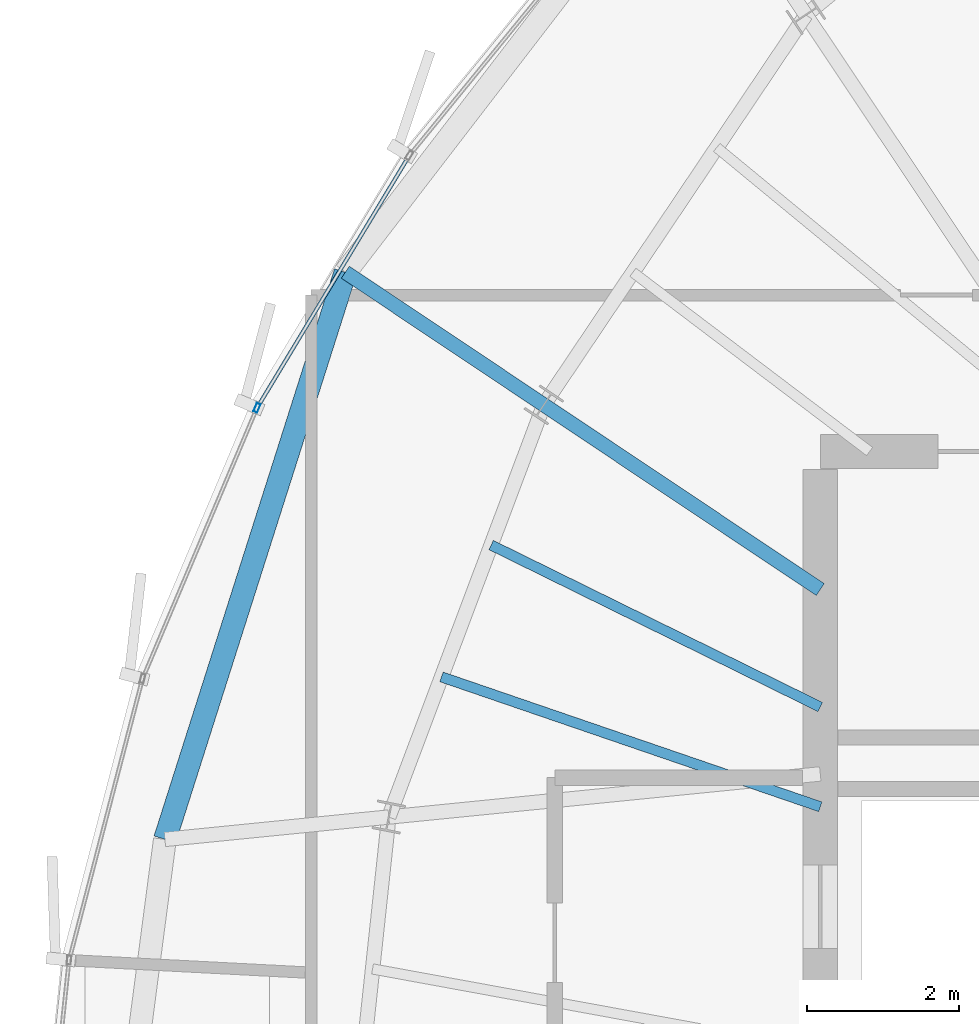
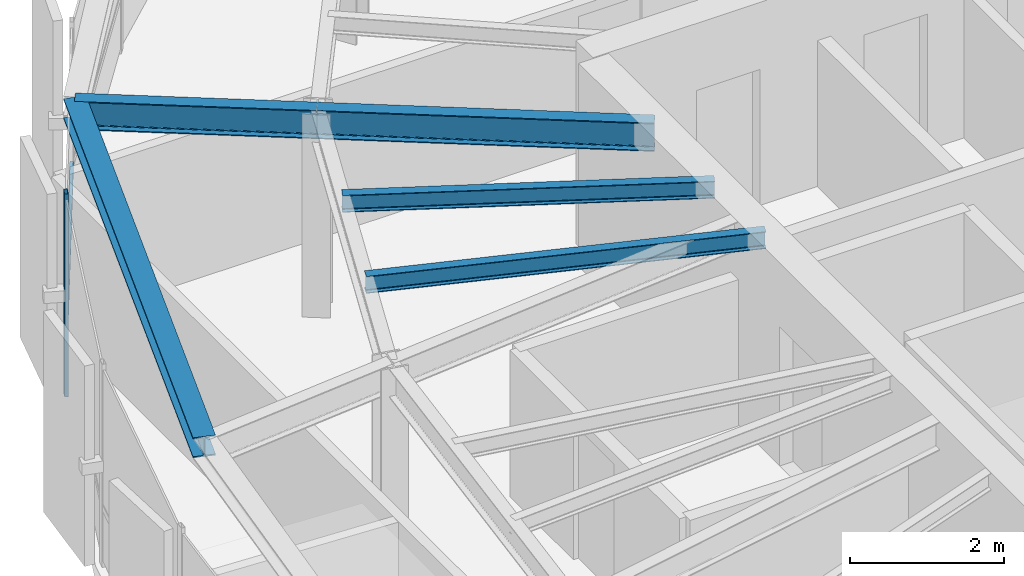
# One storey, part 12 of 31: 5 beams, 2 members, 1 element without a shape of its own.
"""IFC4 building model written with IfcOpenShell, lengths in metres."""

from ifc_helpers import new_model, si_unit, direction, frame, origin, origin_2d, place, context, subcontext, project, spatial, hollow_rectangle, i_section, extrude, source, transform, mapped, material, layer, layer_set, material_profile, profile_set, type_object, element, aggregate, save


model = new_model("IFC4")

# Units and contexts
model_context = context("Model", 3, precision=1e-05, world=origin(), true_north=direction((0.0, 1.0)))
body_context = subcontext(model_context, "Body", "Model", "MODEL_VIEW")
ifc_project = project(units=[si_unit("LENGTHUNIT", "METRE"), si_unit("AREAUNIT", "SQUARE_METRE"), si_unit("VOLUMEUNIT", "CUBIC_METRE"), si_unit("PLANEANGLEUNIT", "RADIAN"), si_unit("MASSUNIT", "GRAM", prefix="KILO"), si_unit("THERMODYNAMICTEMPERATUREUNIT", "KELVIN")], contexts=[model_context])

# Site, building, storey
site_placement = place(None, origin())
site = spatial("IfcSite", under=ifc_project, at=site_placement, CompositionType="ELEMENT")
building_placement = place(site_placement, origin())
building = spatial("IfcBuilding", under=site, at=building_placement, Name="Kethvar Cultural Tower", CompositionType="ELEMENT")
storey_placement = place(building_placement, frame((0.0, 0.0, 287.050048828125)))
storey = spatial("IfcBuildingStorey", under=building, at=storey_placement, Name="L76", CompositionType="ELEMENT", Elevation=287.050048828125)

# Beams
ifc_material_1 = material(Name="Steel S355J2", Category="steel")
ifc_material_profile_1 = material_profile(ifc_material_1, i_section(OverallWidth=0.18994140625, OverallDepth=0.449951171875, WebThickness=0.009521484375, FlangeThickness=0.0146484375, FilletRadius=0.02099609375, at=origin_2d()), Name="Steel S355J2 — IPE450")
ifc_profile_set_1 = profile_set([ifc_material_profile_1], Name="Steel S355J2 — IPE450")
beam_type_1 = type_object("IfcBeamType", Name="BM-IPE450", PredefinedType="BEAM", material=ifc_profile_set_1)
shared_shape_1 = source(origin(), body_context, "Body", "SweptSolid", [
    extrude(i_section(OverallWidth=0.18994140625, OverallDepth=0.449951171875, WebThickness=0.009521484375, FlangeThickness=0.0146484375, FilletRadius=0.02099609375, at=origin_2d()), origin(), (0.0, 0.0, 1.0), 4.3828125),
])
beam_1_placement = place(storey_placement, frame((38.0, 33.679931640625, 2.98291015625), z_axis=(-0.831449909861, 0.555599718676, 0.0), x_axis=(-0.555599718676, -0.831449909861, 0.0)))
element("IfcBeam", 1, at=beam_1_placement, inside=storey, type_object=beam_type_1, Name="L76 Primary Radial Beam RB-07", PredefinedType="BEAM", context=body_context, shape_type="MappedRepresentation", body=[
    mapped(shared_shape_1, transform((0.0, 0.0, 0.0), scale=1.0)),
])
ifc_material_profile_2 = material_profile(ifc_material_1, i_section(OverallWidth=0.135009765625, OverallDepth=0.27001953125, WebThickness=0.006591796875, FlangeThickness=0.01025390625, FilletRadius=0.014892578125, at=origin_2d()), Name="Steel S355J2 — IPE270")
ifc_profile_set_2 = profile_set([ifc_material_profile_2], Name="Steel S355J2 — IPE270")
beam_type_2 = type_object("IfcBeamType", Name="BM-J270", PredefinedType="JOIST", material=ifc_profile_set_2)
shared_shape_2 = source(origin(), body_context, "Body", "SweptSolid", [
    extrude(i_section(OverallWidth=0.135009765625, OverallDepth=0.27001953125, WebThickness=0.006591796875, FlangeThickness=0.01025390625, FilletRadius=0.014892578125, at=origin_2d()), origin(), (0.0, 0.0, 1.0), 4.8359375),
])
beam_2_placement = place(storey_placement, frame((38.0, 32.1318359375, 3.072998046875), z_axis=(-0.897196527088, 0.441631511308, 0.0), x_axis=(-0.441631511308, -0.897196527088, 0.0)))
element("IfcBeam", 2, at=beam_2_placement, inside=storey, type_object=beam_type_2, Name="L76 Composite Floor Joist J-07A", PredefinedType="JOIST", context=body_context, shape_type="MappedRepresentation", body=[
    mapped(shared_shape_2, transform((0.0, 0.0, 0.0), scale=1.0)),
])
shared_shape_3 = source(origin(), body_context, "Body", "SweptSolid", [
    extrude(i_section(OverallWidth=0.135009765625, OverallDepth=0.27001953125, WebThickness=0.006591796875, FlangeThickness=0.01025390625, FilletRadius=0.014892578125, at=origin_2d()), origin(), (0.0, 0.0, 1.0), 5.2783203125),
])
beam_3_placement = place(storey_placement, frame((38.0, 30.817138671875, 3.072998046875), z_axis=(-0.945942702368, 0.324333784607, 0.0), x_axis=(-0.324333784607, -0.945942702368, 0.0)))
element("IfcBeam", 3, at=beam_3_placement, inside=storey, type_object=beam_type_2, Name="L76 Composite Floor Joist J-07B", PredefinedType="JOIST", context=body_context, shape_type="MappedRepresentation", body=[
    mapped(shared_shape_3, transform((0.0, 0.0, 0.0), scale=1.0)),
])
shared_shape_4 = source(origin(), body_context, "Body", "SweptSolid", [
    extrude(i_section(OverallWidth=0.18994140625, OverallDepth=0.449951171875, WebThickness=0.009521484375, FlangeThickness=0.0146484375, FilletRadius=0.02099609375, at=origin_2d()), origin(), (0.0, 0.0, 1.0), 3.146240234375),
])
beam_4_placement = place(storey_placement, frame((34.35595703125, 36.114990234375, 2.98291015625), z_axis=(-0.831488757738, 0.555541578782, 0.0), x_axis=(-0.555541578782, -0.831488757738, 0.0)))
element("IfcBeam", 4, at=beam_4_placement, inside=storey, type_object=beam_type_1, Name="L76 Perimeter Cantilever Beam RC-07", PredefinedType="BEAM", context=body_context, shape_type="MappedRepresentation", body=[
    mapped(shared_shape_4, transform((0.0, 0.0, 0.0), scale=1.0)),
])
ifc_material_profile_3 = material_profile(ifc_material_1, i_section(OverallWidth=0.300048828125, OverallDepth=0.320068359375, WebThickness=0.011474609375, FlangeThickness=0.0205078125, FilletRadius=0.027099609375, at=origin_2d()), Name="Steel S355J2 — HEB320")
ifc_profile_set_3 = profile_set([ifc_material_profile_3], Name="Steel S355J2 — HEB320")
beam_type_3 = type_object("IfcBeamType", Name="BM-SP320", PredefinedType="SPANDREL", material=ifc_profile_set_3)
shared_shape_5 = source(origin(), body_context, "Body", "SweptSolid", [
    extrude(i_section(OverallWidth=0.300048828125, OverallDepth=0.320068359375, WebThickness=0.011474609375, FlangeThickness=0.0205078125, FilletRadius=0.027099609375, at=origin_2d()), origin(), (0.0, 0.0, 1.0), 7.84521484375),
])
beam_5_placement = place(storey_placement, frame((31.739990234375, 37.86279296875, 3.0478515625), z_axis=(-0.303258889385, -0.952908204398, 0.0), x_axis=(0.952908204398, -0.303258889385, 0.0)))
element("IfcBeam", 5, at=beam_5_placement, inside=storey, type_object=beam_type_3, Name="L76 Perimeter Spandrel Beam SP-07", PredefinedType="SPANDREL", context=body_context, shape_type="MappedRepresentation", body=[
    mapped(shared_shape_5, transform((0.0, 0.0, 0.0), scale=1.0)),
])

# Curtain wall, members
ifc_material_2 = material(Name="Aluminium 6063-T6", Category="aluminium")
ifc_layer = layer(ifc_material_2, 0.179931640625, Name="Aluminium 6063-T6", Category="aluminium")
ifc_layer_set = layer_set([ifc_layer], Name="Aluminium 6063-T6 (180 mm)")
curtain_wall_type = type_object("IfcCurtainWallType", Name="CW-SYS-05-Z56", PredefinedType="NOTDEFINED", material=ifc_layer_set)
curtain_wall_placement = place(storey_placement, origin())
curtain_wall = element("IfcCurtainWall", 6, at=curtain_wall_placement, inside=storey, type_object=curtain_wall_type, Name="L76 Curtain Wall Run 02", PredefinedType="NOTDEFINED")
ifc_material_profile_4 = material_profile(ifc_material_2, hollow_rectangle(XDim=0.054931640625, YDim=0.1201171875, WallThickness=0.00390625, at=origin_2d()), Name="Aluminium 6063-T6 — RHS120x55x4")
ifc_profile_set_4 = profile_set([ifc_material_profile_4], Name="Aluminium 6063-T6 — RHS120x55x4")
member_type_1 = type_object("IfcMemberType", Name="CW-SYS-05-Z56-MUL", PredefinedType="MULLION", material=ifc_profile_set_4)
shared_shape_6 = source(origin(), body_context, "Body", "SweptSolid", [
    extrude(hollow_rectangle(XDim=0.054931640625, YDim=0.1201171875, WallThickness=0.00390625, at=origin_2d()), origin(), (0.0, 0.0, 1.0), 3.2099609375),
])
member_1_placement = place(storey_placement, frame((30.574951171875, 36.0751953125, 0.0), z_axis=(0.0, 0.0, 1.0), x_axis=(0.921205778785, -0.389075716452, 0.0)))
member_1 = element("IfcMember", 7, at=member_1_placement, type_object=member_type_1, Name="CW-L76-R02 Mullion 4", PredefinedType="MULLION", context=body_context, shape_type="MappedRepresentation", body=[
    mapped(shared_shape_6, transform((0.0, 0.0, 0.0), scale=1.0)),
])
ifc_material_profile_5 = material_profile(ifc_material_2, hollow_rectangle(XDim=0.050048828125, YDim=0.10009765625, WallThickness=0.00390625, at=origin_2d()), Name="Aluminium 6063-T6 — RHS100x50x4")
ifc_profile_set_5 = profile_set([ifc_material_profile_5], Name="Aluminium 6063-T6 — RHS100x50x4")
member_type_2 = type_object("IfcMemberType", Name="CW-SYS-05-Z56-TRN", PredefinedType="USERDEFINED", material=ifc_profile_set_5)
shared_shape_7 = source(origin(), body_context, "Body", "SweptSolid", [
    extrude(hollow_rectangle(XDim=0.050048828125, YDim=0.10009765625, WallThickness=0.00390625, at=origin_2d()), origin(), (0.0, 0.0, 1.0), 3.820068359375),
])
member_2_placement = place(storey_placement, frame((32.561767578125, 39.367431640625, 0.949951171875), z_axis=(-0.516402418877, -0.856346040908, 0.0), x_axis=(0.856346040908, -0.516402418877, 0.0)))
member_2 = element("IfcMember", 8, at=member_2_placement, type_object=member_type_2, Name="CW-L76-R02 Transom 3", ObjectType="TRANSOM", PredefinedType="USERDEFINED", context=body_context, shape_type="MappedRepresentation", body=[
    mapped(shared_shape_7, transform((0.0, 0.0, 0.0), scale=1.0)),
])
aggregate(curtain_wall, [member_1, member_2])

save(model, "model.ifc")
